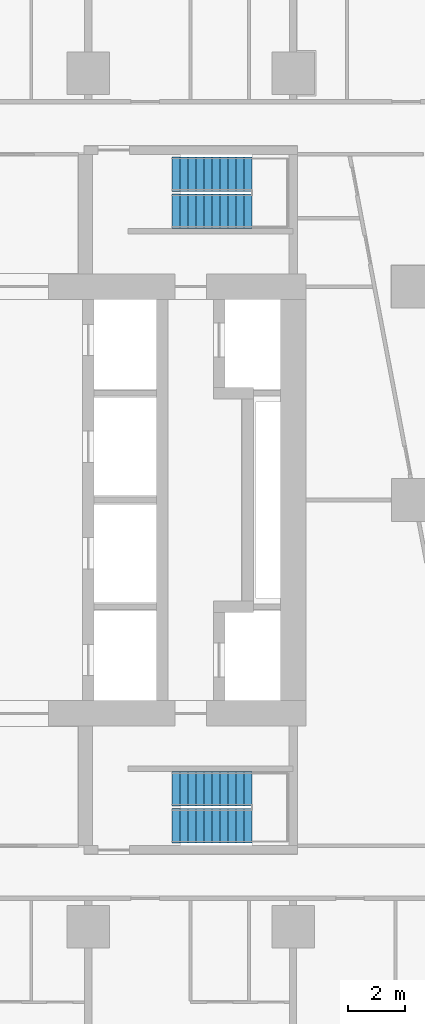
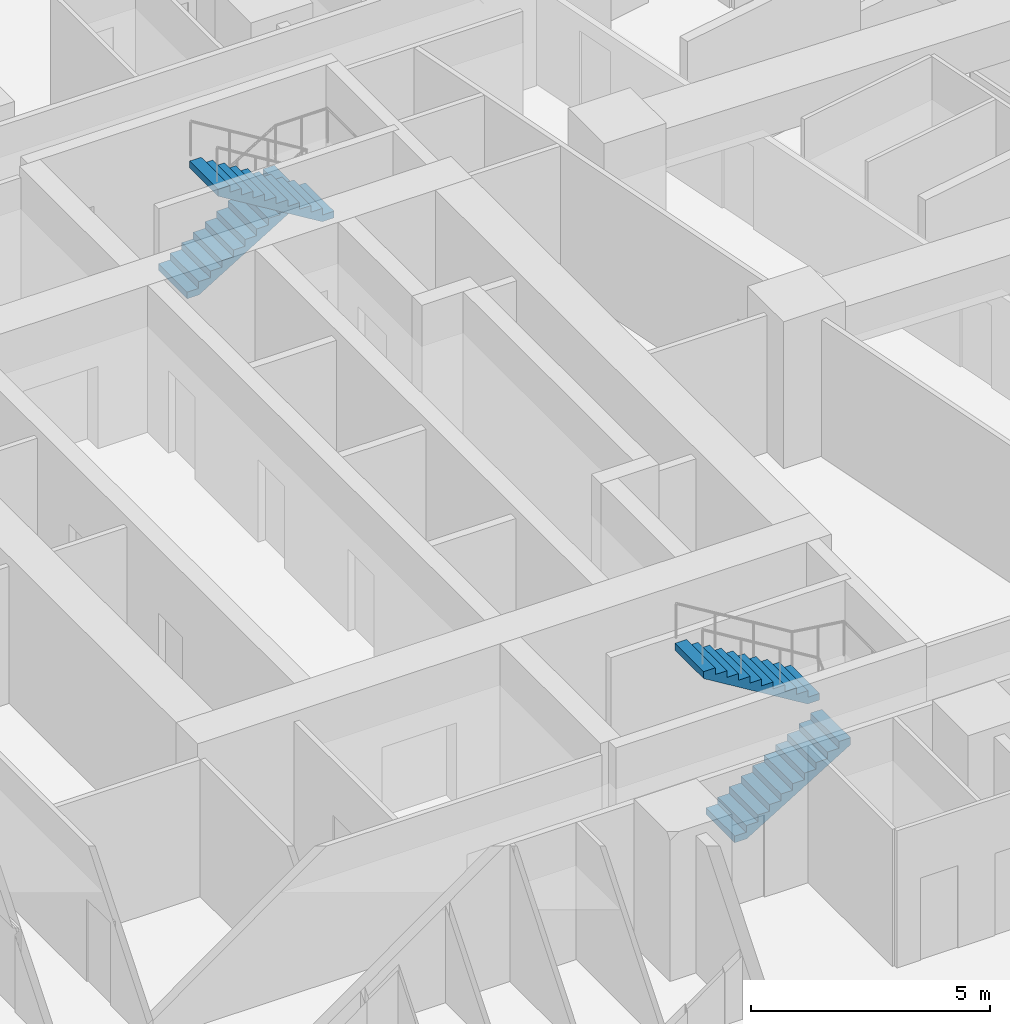
# One storey, part 13 of 15: 4 stair flights, 2 elements without a shape of their own.
"""IFC4 building model written with IfcOpenShell, lengths in metres."""

from ifc_helpers import new_model, si_unit, direction, frame, origin, place, context, subcontext, project, spatial, triangles, material, type_object, element, aggregate, save


model = new_model("IFC4")

# Units and contexts
model_context = context("Model", 3, precision=1e-05, world=origin(), true_north=direction((0.0, 1.0)))
body_context = subcontext(model_context, "Body", "Model", "MODEL_VIEW")
ifc_project = project(units=[si_unit("LENGTHUNIT", "METRE"), si_unit("AREAUNIT", "SQUARE_METRE"), si_unit("VOLUMEUNIT", "CUBIC_METRE"), si_unit("PLANEANGLEUNIT", "RADIAN"), si_unit("MASSUNIT", "GRAM", prefix="KILO")], contexts=[model_context])

# Site, building, storey
site_placement = place(None, origin())
site = spatial("IfcSite", under=ifc_project, at=site_placement, CompositionType="ELEMENT")
building_placement = place(site_placement, origin())
building = spatial("IfcBuilding", under=site, at=building_placement, Name="Sheger Commons Tower", CompositionType="ELEMENT")
storey_placement = place(building_placement, frame((0.0, 0.0, 180.800048828125)))
storey = spatial("IfcBuildingStorey", under=building, at=storey_placement, Name="L46", CompositionType="ELEMENT", Elevation=180.800048828125)

# Stair, stair flights
ifc_material_1 = material(Name="Concrete C35/45", Category="concrete")
stair_type = type_object("IfcStairType", Name="HALF-TURN STAIR 1200 RISE 3750", PredefinedType="HALF_TURN_STAIR", material=ifc_material_1)
stair_1_placement = place(storey_placement, origin())
stair_1 = element("IfcStair", 1, at=stair_1_placement, inside=storey, type_object=stair_type, Name="Stair S1 L46", PredefinedType="HALF_TURN_STAIR")
ifc_material_2 = material(Name="Concrete C35/45", Category="concrete")
stair_flight_type = type_object("IfcStairFlightType", Name="STAIR FLIGHT 1200 11 RISERS OF 170", PredefinedType="STRAIGHT", material=ifc_material_2)
stair_flight_1_placement = place(storey_placement, frame((24.550048828125, 11.050048828125, 0.0), z_axis=(0.0, 0.0, 1.0), x_axis=(1.0, 0.0, 0.0)))
stair_flight_1 = element("IfcStairFlight", 2, at=stair_flight_1_placement, type_object=stair_flight_type, Name="S1 flight 1", NumberOfRisers=11, NumberOfTreads=10, PredefinedType="STRAIGHT", RiserHeight=0.170454545, TreadLength=0.28, context=body_context, shape_type="Tessellation", body=[
    triangles([(0.0, 0.5999755859375, 0.0), (0.0, 0.5999755859375, 0.17041015625), (0.280029296875, 0.5999755859375, 0.17041015625), (0.280029296875, 0.5999755859375, 0.3408203125), (0.56005859375, 0.5999755859375, 0.3408203125), (0.56005859375, 0.5999755859375, 0.511474609375), (0.840087890625, 0.5999755859375, 0.511474609375), (0.840087890625, 0.5999755859375, 0.681884765625), (1.1201171875, 0.5999755859375, 0.681884765625), (1.1201171875, 0.5999755859375, 0.852294921875), (1.39990234375, 0.5999755859375, 0.852294921875), (1.39990234375, 0.5999755859375, 1.022705078125), (1.679931640625, 0.5999755859375, 1.022705078125), (1.679931640625, 0.5999755859375, 1.193115234375), (1.9599609375, 0.5999755859375, 1.193115234375), (1.9599609375, 0.5999755859375, 1.363525390625), (2.239990234375, 0.5999755859375, 1.363525390625), (2.239990234375, 0.5999755859375, 1.5341796875), (2.52001953125, 0.5999755859375, 1.5341796875), (2.52001953125, 0.5999755859375, 1.70458984375), (2.800048828125, 0.5999755859375, 1.70458984375), (2.800048828125, 0.5999755859375, 1.529052734375), (0.288330078125, 0.5999755859375, 0.0), (0.0, -0.5999755859375, 0.0), (0.0, -0.5999755859375, 0.17041015625), (0.280029296875, -0.5999755859375, 0.17041015625), (0.280029296875, -0.5999755859375, 0.3408203125), (0.56005859375, -0.5999755859375, 0.3408203125), (0.56005859375, -0.5999755859375, 0.511474609375), (0.840087890625, -0.5999755859375, 0.511474609375), (0.840087890625, -0.5999755859375, 0.681884765625), (1.1201171875, -0.5999755859375, 0.681884765625), (1.1201171875, -0.5999755859375, 0.852294921875), (1.39990234375, -0.5999755859375, 0.852294921875), (1.39990234375, -0.5999755859375, 1.022705078125), (1.679931640625, -0.5999755859375, 1.022705078125), (1.679931640625, -0.5999755859375, 1.193115234375), (1.9599609375, -0.5999755859375, 1.193115234375), (1.9599609375, -0.5999755859375, 1.363525390625), (2.239990234375, -0.5999755859375, 1.363525390625), (2.239990234375, -0.5999755859375, 1.5341796875), (2.52001953125, -0.5999755859375, 1.5341796875), (2.52001953125, -0.5999755859375, 1.70458984375), (2.800048828125, -0.5999755859375, 1.70458984375), (2.800048828125, -0.5999755859375, 1.529052734375), (0.288330078125, -0.5999755859375, 0.0), (0.0, 0.0, 0.085205078125), (0.1400146484375, 0.0, 0.17041015625), (0.280029296875, 0.0, 0.255615234375), (0.4200439453125, 0.0, 0.3408203125), (0.56005859375, 0.0, 0.4261474609375), (0.7000732421875, 0.0, 0.511474609375), (0.840087890625, 0.0, 0.5966796875), (0.9801025390625, 0.0, 0.681884765625), (1.1201171875, 0.0, 0.76708984375), (1.260009765625, 0.0, 0.852294921875), (1.39990234375, 0.0, 0.9375), (1.5399169921875, 0.0, 1.022705078125), (1.679931640625, 0.0, 1.10791015625), (1.8199462890625, 0.0, 1.193115234375), (1.9599609375, 0.0, 1.2783203125), (2.0999755859375, 0.0, 1.363525390625), (2.239990234375, 0.0, 1.4488525390625), (2.3800048828125, 0.0, 1.5341796875), (2.52001953125, 0.0, 1.619384765625), (2.6600341796875, 0.0, 1.70458984375), (2.800048828125, 0.0, 1.6168212890625), (1.544189453125, 0.0, 0.7645263671875), (0.1441650390625, 0.0, 0.0)], [[1, 22, 23], [24, 46, 45], [22, 20, 21], [45, 44, 43], [22, 19, 20], [45, 43, 42], [22, 18, 19], [45, 42, 41], [22, 17, 18], [45, 41, 40], [17, 15, 16], [40, 39, 38], [22, 15, 17], [45, 40, 38], [15, 13, 14], [38, 37, 36], [22, 13, 15], [45, 38, 36], [13, 11, 12], [36, 35, 34], [22, 11, 13], [45, 36, 34], [11, 9, 10], [34, 33, 32], [22, 9, 11], [45, 34, 32], [9, 7, 8], [32, 31, 30], [22, 7, 9], [45, 32, 30], [7, 5, 6], [30, 29, 28], [22, 5, 7], [45, 30, 28], [5, 3, 4], [28, 27, 26], [22, 3, 5], [45, 28, 26], [1, 3, 22], [24, 45, 26], [3, 1, 2], [26, 25, 24], [1, 47, 2], [2, 47, 25], [25, 47, 24], [24, 47, 1], [2, 48, 3], [3, 48, 26], [26, 48, 25], [25, 48, 2], [3, 49, 4], [4, 49, 27], [27, 49, 26], [26, 49, 3], [4, 50, 5], [5, 50, 28], [28, 50, 27], [27, 50, 4], [5, 51, 6], [6, 51, 29], [29, 51, 28], [28, 51, 5], [6, 52, 7], [7, 52, 30], [30, 52, 29], [29, 52, 6], [7, 53, 8], [8, 53, 31], [31, 53, 30], [30, 53, 7], [8, 54, 9], [9, 54, 32], [32, 54, 31], [31, 54, 8], [9, 55, 10], [10, 55, 33], [33, 55, 32], [32, 55, 9], [10, 56, 11], [11, 56, 34], [34, 56, 33], [33, 56, 10], [11, 57, 12], [12, 57, 35], [35, 57, 34], [34, 57, 11], [12, 58, 13], [13, 58, 36], [36, 58, 35], [35, 58, 12], [13, 59, 14], [14, 59, 37], [37, 59, 36], [36, 59, 13], [14, 60, 15], [15, 60, 38], [38, 60, 37], [37, 60, 14], [15, 61, 16], [16, 61, 39], [39, 61, 38], [38, 61, 15], [16, 62, 17], [17, 62, 40], [40, 62, 39], [39, 62, 16], [17, 63, 18], [18, 63, 41], [41, 63, 40], [40, 63, 17], [18, 64, 19], [19, 64, 42], [42, 64, 41], [41, 64, 18], [19, 65, 20], [20, 65, 43], [43, 65, 42], [42, 65, 19], [20, 66, 21], [21, 66, 44], [44, 66, 43], [43, 66, 20], [21, 67, 22], [22, 67, 45], [45, 67, 44], [44, 67, 21], [22, 68, 23], [23, 68, 46], [46, 68, 45], [45, 68, 22], [23, 69, 1], [1, 69, 24], [24, 69, 46], [46, 69, 23]], closed=True),
])
stair_flight_2_placement = place(storey_placement, frame((27.35009765625, 12.35009765625, 1.875), z_axis=(0.0, 0.0, 1.0), x_axis=(-1.0, 0.0, 0.0)))
stair_flight_2 = element("IfcStairFlight", 3, at=stair_flight_2_placement, type_object=stair_flight_type, Name="S1 flight 2", NumberOfRisers=11, NumberOfTreads=10, PredefinedType="STRAIGHT", RiserHeight=0.170454545, TreadLength=0.28, context=body_context, shape_type="Tessellation", body=[
    triangles([(0.0, 0.5999755859375, 0.0), (0.0, 0.5999755859375, 0.17041015625), (0.280029296875, 0.5999755859375, 0.17041015625), (0.280029296875, 0.5999755859375, 0.3408203125), (0.56005859375, 0.5999755859375, 0.3408203125), (0.56005859375, 0.5999755859375, 0.511474609375), (0.840087890625, 0.5999755859375, 0.511474609375), (0.840087890625, 0.5999755859375, 0.681884765625), (1.1201171875, 0.5999755859375, 0.681884765625), (1.1201171875, 0.5999755859375, 0.852294921875), (1.39990234375, 0.5999755859375, 0.852294921875), (1.39990234375, 0.5999755859375, 1.022705078125), (1.679931640625, 0.5999755859375, 1.022705078125), (1.679931640625, 0.5999755859375, 1.193115234375), (1.9599609375, 0.5999755859375, 1.193115234375), (1.9599609375, 0.5999755859375, 1.363525390625), (2.239990234375, 0.5999755859375, 1.363525390625), (2.239990234375, 0.5999755859375, 1.5341796875), (2.52001953125, 0.5999755859375, 1.5341796875), (2.52001953125, 0.5999755859375, 1.70458984375), (2.800048828125, 0.5999755859375, 1.70458984375), (2.800048828125, 0.5999755859375, 1.529052734375), (0.288330078125, 0.5999755859375, 0.0), (0.0, -0.5999755859375, 0.0), (0.0, -0.5999755859375, 0.17041015625), (0.280029296875, -0.5999755859375, 0.17041015625), (0.280029296875, -0.5999755859375, 0.3408203125), (0.56005859375, -0.5999755859375, 0.3408203125), (0.56005859375, -0.5999755859375, 0.511474609375), (0.840087890625, -0.5999755859375, 0.511474609375), (0.840087890625, -0.5999755859375, 0.681884765625), (1.1201171875, -0.5999755859375, 0.681884765625), (1.1201171875, -0.5999755859375, 0.852294921875), (1.39990234375, -0.5999755859375, 0.852294921875), (1.39990234375, -0.5999755859375, 1.022705078125), (1.679931640625, -0.5999755859375, 1.022705078125), (1.679931640625, -0.5999755859375, 1.193115234375), (1.9599609375, -0.5999755859375, 1.193115234375), (1.9599609375, -0.5999755859375, 1.363525390625), (2.239990234375, -0.5999755859375, 1.363525390625), (2.239990234375, -0.5999755859375, 1.5341796875), (2.52001953125, -0.5999755859375, 1.5341796875), (2.52001953125, -0.5999755859375, 1.70458984375), (2.800048828125, -0.5999755859375, 1.70458984375), (2.800048828125, -0.5999755859375, 1.529052734375), (0.288330078125, -0.5999755859375, 0.0), (0.0, 0.0, 0.085205078125), (0.1400146484375, 0.0, 0.17041015625), (0.280029296875, 0.0, 0.255615234375), (0.4200439453125, 0.0, 0.3408203125), (0.56005859375, 0.0, 0.4261474609375), (0.7000732421875, 0.0, 0.511474609375), (0.840087890625, 0.0, 0.5966796875), (0.9801025390625, 0.0, 0.681884765625), (1.1201171875, 0.0, 0.76708984375), (1.260009765625, 0.0, 0.852294921875), (1.39990234375, 0.0, 0.9375), (1.5399169921875, 0.0, 1.022705078125), (1.679931640625, 0.0, 1.10791015625), (1.8199462890625, 0.0, 1.193115234375), (1.9599609375, 0.0, 1.2783203125), (2.0999755859375, 0.0, 1.363525390625), (2.239990234375, 0.0, 1.4488525390625), (2.3800048828125, 0.0, 1.5341796875), (2.52001953125, 0.0, 1.619384765625), (2.6600341796875, 0.0, 1.70458984375), (2.800048828125, 0.0, 1.6168212890625), (1.544189453125, 0.0, 0.7645263671875), (0.1441650390625, 0.0, 0.0)], [[1, 22, 23], [24, 46, 45], [22, 20, 21], [45, 44, 43], [22, 19, 20], [45, 43, 42], [22, 18, 19], [45, 42, 41], [22, 17, 18], [45, 41, 40], [17, 15, 16], [40, 39, 38], [22, 15, 17], [45, 40, 38], [15, 13, 14], [38, 37, 36], [22, 13, 15], [45, 38, 36], [13, 11, 12], [36, 35, 34], [22, 11, 13], [45, 36, 34], [11, 9, 10], [34, 33, 32], [22, 9, 11], [45, 34, 32], [9, 7, 8], [32, 31, 30], [22, 7, 9], [45, 32, 30], [7, 5, 6], [30, 29, 28], [22, 5, 7], [45, 30, 28], [5, 3, 4], [28, 27, 26], [22, 3, 5], [45, 28, 26], [1, 3, 22], [24, 45, 26], [3, 1, 2], [26, 25, 24], [1, 47, 2], [2, 47, 25], [25, 47, 24], [24, 47, 1], [2, 48, 3], [3, 48, 26], [26, 48, 25], [25, 48, 2], [3, 49, 4], [4, 49, 27], [27, 49, 26], [26, 49, 3], [4, 50, 5], [5, 50, 28], [28, 50, 27], [27, 50, 4], [5, 51, 6], [6, 51, 29], [29, 51, 28], [28, 51, 5], [6, 52, 7], [7, 52, 30], [30, 52, 29], [29, 52, 6], [7, 53, 8], [8, 53, 31], [31, 53, 30], [30, 53, 7], [8, 54, 9], [9, 54, 32], [32, 54, 31], [31, 54, 8], [9, 55, 10], [10, 55, 33], [33, 55, 32], [32, 55, 9], [10, 56, 11], [11, 56, 34], [34, 56, 33], [33, 56, 10], [11, 57, 12], [12, 57, 35], [35, 57, 34], [34, 57, 11], [12, 58, 13], [13, 58, 36], [36, 58, 35], [35, 58, 12], [13, 59, 14], [14, 59, 37], [37, 59, 36], [36, 59, 13], [14, 60, 15], [15, 60, 38], [38, 60, 37], [37, 60, 14], [15, 61, 16], [16, 61, 39], [39, 61, 38], [38, 61, 15], [16, 62, 17], [17, 62, 40], [40, 62, 39], [39, 62, 16], [17, 63, 18], [18, 63, 41], [41, 63, 40], [40, 63, 17], [18, 64, 19], [19, 64, 42], [42, 64, 41], [41, 64, 18], [19, 65, 20], [20, 65, 43], [43, 65, 42], [42, 65, 19], [20, 66, 21], [21, 66, 44], [44, 66, 43], [43, 66, 20], [21, 67, 22], [22, 67, 45], [45, 67, 44], [44, 67, 21], [22, 68, 23], [23, 68, 46], [46, 68, 45], [45, 68, 22], [23, 69, 1], [1, 69, 24], [24, 69, 46], [46, 69, 23]], closed=True),
])
aggregate(stair_1, [stair_flight_1, stair_flight_2])

stair_2_placement = place(storey_placement, origin())
stair_2 = element("IfcStair", 4, at=stair_2_placement, inside=storey, type_object=stair_type, Name="Stair S2 L46", PredefinedType="HALF_TURN_STAIR")
stair_flight_3_placement = place(storey_placement, frame((24.550048828125, 33.949951171875, 0.0), z_axis=(0.0, 0.0, 1.0), x_axis=(1.0, 0.0, 0.0)))
stair_flight_3 = element("IfcStairFlight", 5, at=stair_flight_3_placement, type_object=stair_flight_type, Name="S2 flight 1", NumberOfRisers=11, NumberOfTreads=10, PredefinedType="STRAIGHT", RiserHeight=0.170454545, TreadLength=0.28, context=body_context, shape_type="Tessellation", body=[
    triangles([(0.0, 0.5999755859375, 0.0), (0.0, 0.5999755859375, 0.17041015625), (0.280029296875, 0.5999755859375, 0.17041015625), (0.280029296875, 0.5999755859375, 0.3408203125), (0.56005859375, 0.5999755859375, 0.3408203125), (0.56005859375, 0.5999755859375, 0.511474609375), (0.840087890625, 0.5999755859375, 0.511474609375), (0.840087890625, 0.5999755859375, 0.681884765625), (1.1201171875, 0.5999755859375, 0.681884765625), (1.1201171875, 0.5999755859375, 0.852294921875), (1.39990234375, 0.5999755859375, 0.852294921875), (1.39990234375, 0.5999755859375, 1.022705078125), (1.679931640625, 0.5999755859375, 1.022705078125), (1.679931640625, 0.5999755859375, 1.193115234375), (1.9599609375, 0.5999755859375, 1.193115234375), (1.9599609375, 0.5999755859375, 1.363525390625), (2.239990234375, 0.5999755859375, 1.363525390625), (2.239990234375, 0.5999755859375, 1.5341796875), (2.52001953125, 0.5999755859375, 1.5341796875), (2.52001953125, 0.5999755859375, 1.70458984375), (2.800048828125, 0.5999755859375, 1.70458984375), (2.800048828125, 0.5999755859375, 1.529052734375), (0.288330078125, 0.5999755859375, 0.0), (0.0, -0.5999755859375, 0.0), (0.0, -0.5999755859375, 0.17041015625), (0.280029296875, -0.5999755859375, 0.17041015625), (0.280029296875, -0.5999755859375, 0.3408203125), (0.56005859375, -0.5999755859375, 0.3408203125), (0.56005859375, -0.5999755859375, 0.511474609375), (0.840087890625, -0.5999755859375, 0.511474609375), (0.840087890625, -0.5999755859375, 0.681884765625), (1.1201171875, -0.5999755859375, 0.681884765625), (1.1201171875, -0.5999755859375, 0.852294921875), (1.39990234375, -0.5999755859375, 0.852294921875), (1.39990234375, -0.5999755859375, 1.022705078125), (1.679931640625, -0.5999755859375, 1.022705078125), (1.679931640625, -0.5999755859375, 1.193115234375), (1.9599609375, -0.5999755859375, 1.193115234375), (1.9599609375, -0.5999755859375, 1.363525390625), (2.239990234375, -0.5999755859375, 1.363525390625), (2.239990234375, -0.5999755859375, 1.5341796875), (2.52001953125, -0.5999755859375, 1.5341796875), (2.52001953125, -0.5999755859375, 1.70458984375), (2.800048828125, -0.5999755859375, 1.70458984375), (2.800048828125, -0.5999755859375, 1.529052734375), (0.288330078125, -0.5999755859375, 0.0), (0.0, 0.0, 0.085205078125), (0.1400146484375, 0.0, 0.17041015625), (0.280029296875, 0.0, 0.255615234375), (0.4200439453125, 0.0, 0.3408203125), (0.56005859375, 0.0, 0.4261474609375), (0.7000732421875, 0.0, 0.511474609375), (0.840087890625, 0.0, 0.5966796875), (0.9801025390625, 0.0, 0.681884765625), (1.1201171875, 0.0, 0.76708984375), (1.260009765625, 0.0, 0.852294921875), (1.39990234375, 0.0, 0.9375), (1.5399169921875, 0.0, 1.022705078125), (1.679931640625, 0.0, 1.10791015625), (1.8199462890625, 0.0, 1.193115234375), (1.9599609375, 0.0, 1.2783203125), (2.0999755859375, 0.0, 1.363525390625), (2.239990234375, 0.0, 1.4488525390625), (2.3800048828125, 0.0, 1.5341796875), (2.52001953125, 0.0, 1.619384765625), (2.6600341796875, 0.0, 1.70458984375), (2.800048828125, 0.0, 1.6168212890625), (1.544189453125, 0.0, 0.7645263671875), (0.1441650390625, 0.0, 0.0)], [[1, 22, 23], [24, 46, 45], [22, 20, 21], [45, 44, 43], [22, 19, 20], [45, 43, 42], [22, 18, 19], [45, 42, 41], [22, 17, 18], [45, 41, 40], [17, 15, 16], [40, 39, 38], [22, 15, 17], [45, 40, 38], [15, 13, 14], [38, 37, 36], [22, 13, 15], [45, 38, 36], [13, 11, 12], [36, 35, 34], [22, 11, 13], [45, 36, 34], [11, 9, 10], [34, 33, 32], [22, 9, 11], [45, 34, 32], [9, 7, 8], [32, 31, 30], [22, 7, 9], [45, 32, 30], [7, 5, 6], [30, 29, 28], [22, 5, 7], [45, 30, 28], [5, 3, 4], [28, 27, 26], [22, 3, 5], [45, 28, 26], [1, 3, 22], [24, 45, 26], [3, 1, 2], [26, 25, 24], [1, 47, 2], [2, 47, 25], [25, 47, 24], [24, 47, 1], [2, 48, 3], [3, 48, 26], [26, 48, 25], [25, 48, 2], [3, 49, 4], [4, 49, 27], [27, 49, 26], [26, 49, 3], [4, 50, 5], [5, 50, 28], [28, 50, 27], [27, 50, 4], [5, 51, 6], [6, 51, 29], [29, 51, 28], [28, 51, 5], [6, 52, 7], [7, 52, 30], [30, 52, 29], [29, 52, 6], [7, 53, 8], [8, 53, 31], [31, 53, 30], [30, 53, 7], [8, 54, 9], [9, 54, 32], [32, 54, 31], [31, 54, 8], [9, 55, 10], [10, 55, 33], [33, 55, 32], [32, 55, 9], [10, 56, 11], [11, 56, 34], [34, 56, 33], [33, 56, 10], [11, 57, 12], [12, 57, 35], [35, 57, 34], [34, 57, 11], [12, 58, 13], [13, 58, 36], [36, 58, 35], [35, 58, 12], [13, 59, 14], [14, 59, 37], [37, 59, 36], [36, 59, 13], [14, 60, 15], [15, 60, 38], [38, 60, 37], [37, 60, 14], [15, 61, 16], [16, 61, 39], [39, 61, 38], [38, 61, 15], [16, 62, 17], [17, 62, 40], [40, 62, 39], [39, 62, 16], [17, 63, 18], [18, 63, 41], [41, 63, 40], [40, 63, 17], [18, 64, 19], [19, 64, 42], [42, 64, 41], [41, 64, 18], [19, 65, 20], [20, 65, 43], [43, 65, 42], [42, 65, 19], [20, 66, 21], [21, 66, 44], [44, 66, 43], [43, 66, 20], [21, 67, 22], [22, 67, 45], [45, 67, 44], [44, 67, 21], [22, 68, 23], [23, 68, 46], [46, 68, 45], [45, 68, 22], [23, 69, 1], [1, 69, 24], [24, 69, 46], [46, 69, 23]], closed=True),
])
stair_flight_4_placement = place(storey_placement, frame((27.35009765625, 32.64990234375, 1.875), z_axis=(0.0, 0.0, 1.0), x_axis=(-1.0, 0.0, 0.0)))
stair_flight_4 = element("IfcStairFlight", 6, at=stair_flight_4_placement, type_object=stair_flight_type, Name="S2 flight 2", NumberOfRisers=11, NumberOfTreads=10, PredefinedType="STRAIGHT", RiserHeight=0.170454545, TreadLength=0.28, context=body_context, shape_type="Tessellation", body=[
    triangles([(0.0, 0.5999755859375, 0.0), (0.0, 0.5999755859375, 0.17041015625), (0.280029296875, 0.5999755859375, 0.17041015625), (0.280029296875, 0.5999755859375, 0.3408203125), (0.56005859375, 0.5999755859375, 0.3408203125), (0.56005859375, 0.5999755859375, 0.511474609375), (0.840087890625, 0.5999755859375, 0.511474609375), (0.840087890625, 0.5999755859375, 0.681884765625), (1.1201171875, 0.5999755859375, 0.681884765625), (1.1201171875, 0.5999755859375, 0.852294921875), (1.39990234375, 0.5999755859375, 0.852294921875), (1.39990234375, 0.5999755859375, 1.022705078125), (1.679931640625, 0.5999755859375, 1.022705078125), (1.679931640625, 0.5999755859375, 1.193115234375), (1.9599609375, 0.5999755859375, 1.193115234375), (1.9599609375, 0.5999755859375, 1.363525390625), (2.239990234375, 0.5999755859375, 1.363525390625), (2.239990234375, 0.5999755859375, 1.5341796875), (2.52001953125, 0.5999755859375, 1.5341796875), (2.52001953125, 0.5999755859375, 1.70458984375), (2.800048828125, 0.5999755859375, 1.70458984375), (2.800048828125, 0.5999755859375, 1.529052734375), (0.288330078125, 0.5999755859375, 0.0), (0.0, -0.5999755859375, 0.0), (0.0, -0.5999755859375, 0.17041015625), (0.280029296875, -0.5999755859375, 0.17041015625), (0.280029296875, -0.5999755859375, 0.3408203125), (0.56005859375, -0.5999755859375, 0.3408203125), (0.56005859375, -0.5999755859375, 0.511474609375), (0.840087890625, -0.5999755859375, 0.511474609375), (0.840087890625, -0.5999755859375, 0.681884765625), (1.1201171875, -0.5999755859375, 0.681884765625), (1.1201171875, -0.5999755859375, 0.852294921875), (1.39990234375, -0.5999755859375, 0.852294921875), (1.39990234375, -0.5999755859375, 1.022705078125), (1.679931640625, -0.5999755859375, 1.022705078125), (1.679931640625, -0.5999755859375, 1.193115234375), (1.9599609375, -0.5999755859375, 1.193115234375), (1.9599609375, -0.5999755859375, 1.363525390625), (2.239990234375, -0.5999755859375, 1.363525390625), (2.239990234375, -0.5999755859375, 1.5341796875), (2.52001953125, -0.5999755859375, 1.5341796875), (2.52001953125, -0.5999755859375, 1.70458984375), (2.800048828125, -0.5999755859375, 1.70458984375), (2.800048828125, -0.5999755859375, 1.529052734375), (0.288330078125, -0.5999755859375, 0.0), (0.0, 0.0, 0.085205078125), (0.1400146484375, 0.0, 0.17041015625), (0.280029296875, 0.0, 0.255615234375), (0.4200439453125, 0.0, 0.3408203125), (0.56005859375, 0.0, 0.4261474609375), (0.7000732421875, 0.0, 0.511474609375), (0.840087890625, 0.0, 0.5966796875), (0.9801025390625, 0.0, 0.681884765625), (1.1201171875, 0.0, 0.76708984375), (1.260009765625, 0.0, 0.852294921875), (1.39990234375, 0.0, 0.9375), (1.5399169921875, 0.0, 1.022705078125), (1.679931640625, 0.0, 1.10791015625), (1.8199462890625, 0.0, 1.193115234375), (1.9599609375, 0.0, 1.2783203125), (2.0999755859375, 0.0, 1.363525390625), (2.239990234375, 0.0, 1.4488525390625), (2.3800048828125, 0.0, 1.5341796875), (2.52001953125, 0.0, 1.619384765625), (2.6600341796875, 0.0, 1.70458984375), (2.800048828125, 0.0, 1.6168212890625), (1.544189453125, 0.0, 0.7645263671875), (0.1441650390625, 0.0, 0.0)], [[1, 22, 23], [24, 46, 45], [22, 20, 21], [45, 44, 43], [22, 19, 20], [45, 43, 42], [22, 18, 19], [45, 42, 41], [22, 17, 18], [45, 41, 40], [17, 15, 16], [40, 39, 38], [22, 15, 17], [45, 40, 38], [15, 13, 14], [38, 37, 36], [22, 13, 15], [45, 38, 36], [13, 11, 12], [36, 35, 34], [22, 11, 13], [45, 36, 34], [11, 9, 10], [34, 33, 32], [22, 9, 11], [45, 34, 32], [9, 7, 8], [32, 31, 30], [22, 7, 9], [45, 32, 30], [7, 5, 6], [30, 29, 28], [22, 5, 7], [45, 30, 28], [5, 3, 4], [28, 27, 26], [22, 3, 5], [45, 28, 26], [1, 3, 22], [24, 45, 26], [3, 1, 2], [26, 25, 24], [1, 47, 2], [2, 47, 25], [25, 47, 24], [24, 47, 1], [2, 48, 3], [3, 48, 26], [26, 48, 25], [25, 48, 2], [3, 49, 4], [4, 49, 27], [27, 49, 26], [26, 49, 3], [4, 50, 5], [5, 50, 28], [28, 50, 27], [27, 50, 4], [5, 51, 6], [6, 51, 29], [29, 51, 28], [28, 51, 5], [6, 52, 7], [7, 52, 30], [30, 52, 29], [29, 52, 6], [7, 53, 8], [8, 53, 31], [31, 53, 30], [30, 53, 7], [8, 54, 9], [9, 54, 32], [32, 54, 31], [31, 54, 8], [9, 55, 10], [10, 55, 33], [33, 55, 32], [32, 55, 9], [10, 56, 11], [11, 56, 34], [34, 56, 33], [33, 56, 10], [11, 57, 12], [12, 57, 35], [35, 57, 34], [34, 57, 11], [12, 58, 13], [13, 58, 36], [36, 58, 35], [35, 58, 12], [13, 59, 14], [14, 59, 37], [37, 59, 36], [36, 59, 13], [14, 60, 15], [15, 60, 38], [38, 60, 37], [37, 60, 14], [15, 61, 16], [16, 61, 39], [39, 61, 38], [38, 61, 15], [16, 62, 17], [17, 62, 40], [40, 62, 39], [39, 62, 16], [17, 63, 18], [18, 63, 41], [41, 63, 40], [40, 63, 17], [18, 64, 19], [19, 64, 42], [42, 64, 41], [41, 64, 18], [19, 65, 20], [20, 65, 43], [43, 65, 42], [42, 65, 19], [20, 66, 21], [21, 66, 44], [44, 66, 43], [43, 66, 20], [21, 67, 22], [22, 67, 45], [45, 67, 44], [44, 67, 21], [22, 68, 23], [23, 68, 46], [46, 68, 45], [45, 68, 22], [23, 69, 1], [1, 69, 24], [24, 69, 46], [46, 69, 23]], closed=True),
])
aggregate(stair_2, [stair_flight_3, stair_flight_4])

save(model, "model.ifc")
